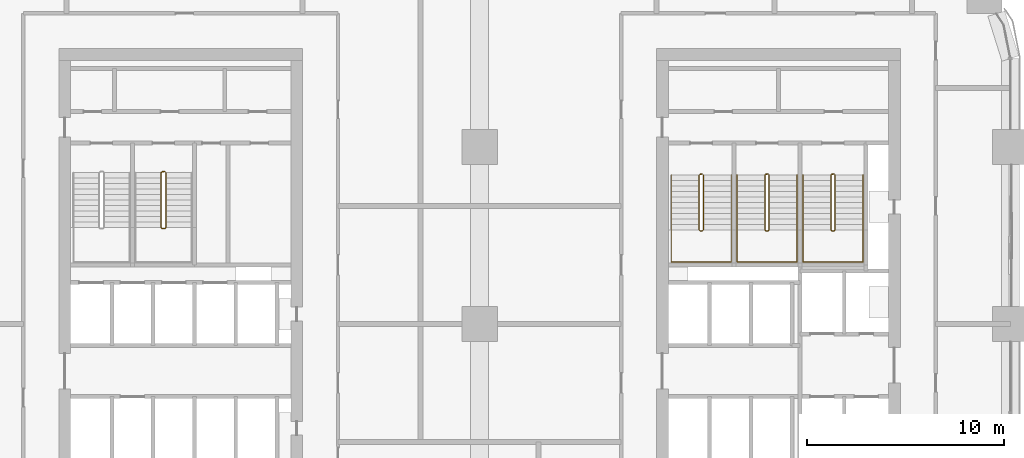
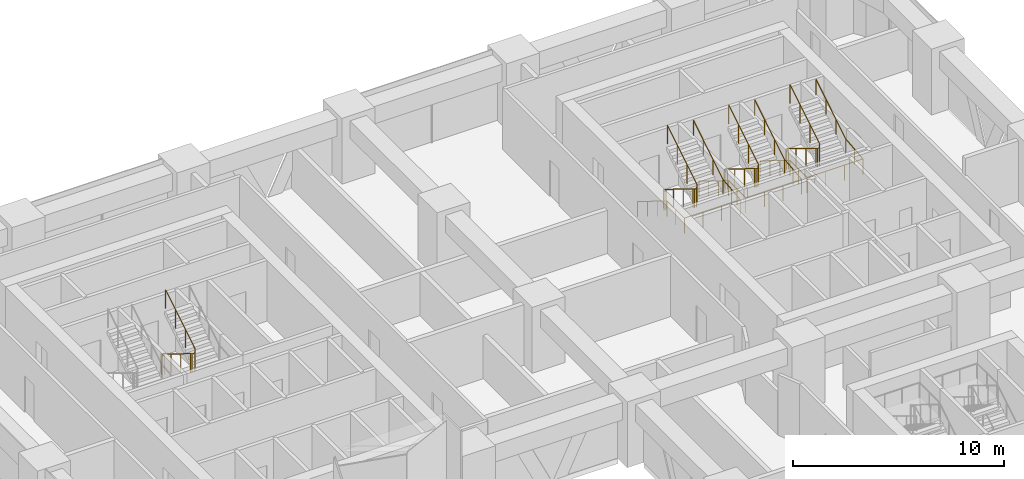
# One storey, part 18 of 18: 7 railings.
"""IFC4 building model written with IfcOpenShell, lengths in metres."""

from ifc_helpers import new_model, si_unit, direction, frame, origin, origin_2d, place, context, subcontext, project, spatial, circle, extrude, material, type_object, element, save


model = new_model("IFC4")

# Units and contexts
model_context = context("Model", 3, precision=1e-05, world=origin(), true_north=direction((0.0, 1.0)))
body_context = subcontext(model_context, "Body", "Model", "MODEL_VIEW")
ifc_project = project(units=[si_unit("LENGTHUNIT", "METRE"), si_unit("AREAUNIT", "SQUARE_METRE"), si_unit("VOLUMEUNIT", "CUBIC_METRE"), si_unit("PLANEANGLEUNIT", "RADIAN"), si_unit("MASSUNIT", "GRAM", prefix="KILO")], contexts=[model_context])

# Site, building, storey
site_placement = place(None, origin())
site = spatial("IfcSite", under=ifc_project, at=site_placement, CompositionType="ELEMENT")
building_placement = place(site_placement, origin())
building = spatial("IfcBuilding", under=site, at=building_placement, Name="Tessera Arch", CompositionType="ELEMENT")
storey_placement = place(building_placement, frame((0.0, 0.0, 115.800048828125)))
storey = spatial("IfcBuildingStorey", under=building, at=storey_placement, Name="L27", CompositionType="ELEMENT", Elevation=115.800048828125)

# Railings
ifc_material_1 = material(Name="Painted steel balustrade", Category="steel")
railing_type_1 = type_object("IfcRailingType", Name="Stair guard 1100", PredefinedType="GUARDRAIL", material=ifc_material_1)
railing_1_placement = place(storey_placement, frame((38.219970703125, 43.6298828125, 0.0)))
element("IfcRailing", 1, at=railing_1_placement, inside=storey, type_object=railing_type_1, Name="L27 S1a stair guard 1", PredefinedType="GUARDRAIL", context=body_context, shape_type="SweptSolid", body=[
    extrude(circle(Radius=0.02392578125, at=origin_2d()), frame((-0.00390625, 0.0, 1.076171875), z_axis=(1.0, 0.0, 0.0), x_axis=(0.0, 1.0, 0.0)), (0.0, 0.0, 1.0), 0.1181640625),
    extrude(circle(Radius=0.02392578125, at=origin_2d()), frame((0.11279296875, 0.000732421875, 1.0732421875), z_axis=(-0.665449600336, -0.206938595226, 0.717184249143), x_axis=(0.296948579431, -0.954893471113, 0.0)), (0.0, 0.0, 1.0), 0.248779296875),
    extrude(circle(Radius=0.02392578125, at=origin_2d()), frame((-0.050048828125, -0.04638671875, 1.24658203125), z_axis=(0.0, -0.851089632645, 0.525020415988), x_axis=(1.0, 0.0, 0.0)), (0.0, 0.0, 1.0), 3.2978515625),
    extrude(circle(Radius=0.02392578125, at=origin_2d()), frame((-0.052978515625, -2.846923828125, 2.97607421875), z_axis=(0.707106781187, -0.707106781187, 0.0), x_axis=(0.707106781187, 0.707106781187, 0.0)), (0.0, 0.0, 1.0), 0.078857421875),
    extrude(circle(Radius=0.02392578125, at=origin_2d()), frame((-0.00390625, -2.89990234375, 2.97607421875), z_axis=(1.0, 0.0, 0.0), x_axis=(0.0, 1.0, 0.0)), (0.0, 0.0, 1.0), 0.1181640625),
    extrude(circle(Radius=0.02392578125, at=origin_2d()), frame((0.109130859375, -2.90087890625, 2.97216796875), z_axis=(0.266739603011, 0.268047150085, 0.925743328097), x_axis=(-0.708833529934, 0.705375805398, 0.0)), (0.0, 0.0, 1.0), 0.19482421875),
    extrude(circle(Radius=0.02392578125, at=origin_2d()), frame((0.159912109375, -2.853271484375, 3.146728515625), z_axis=(0.0, 0.851089632645, 0.525020415988), x_axis=(-1.0, 0.0, 0.0)), (0.0, 0.0, 1.0), 3.2978515625),
    extrude(circle(Radius=0.02099609375, at=origin_2d()), origin(), (0.0, 0.0, 1.0), 1.06396484375),
    extrude(circle(Radius=0.02099609375, at=origin_2d()), frame((0.110107421875, 0.0, 0.0)), (0.0, 0.0, 1.0), 1.06396484375),
    extrude(circle(Radius=0.02099609375, at=origin_2d()), frame((-0.050048828125, -0.0498046875, 0.172607421875)), (0.0, 0.0, 1.0), 1.06396484375),
    extrude(circle(Radius=0.02099609375, at=origin_2d()), frame((-0.050048828125, -0.983154296875, 0.748291015625)), (0.0, 0.0, 1.0), 1.06396484375),
    extrude(circle(Radius=0.02099609375, at=origin_2d()), frame((-0.050048828125, -1.91650390625, 1.32421875)), (0.0, 0.0, 1.0), 1.06396484375),
    extrude(circle(Radius=0.02099609375, at=origin_2d()), frame((-0.050048828125, -2.849853515625, 1.89990234375)), (0.0, 0.0, 1.0), 1.06396484375),
    extrude(circle(Radius=0.02099609375, at=origin_2d()), frame((0.0, -2.89990234375, 1.89990234375)), (0.0, 0.0, 1.0), 1.06396484375),
    extrude(circle(Radius=0.02099609375, at=origin_2d()), frame((0.110107421875, -2.89990234375, 1.89990234375)), (0.0, 0.0, 1.0), 1.06396484375),
    extrude(circle(Radius=0.02099609375, at=origin_2d()), frame((0.159912109375, -2.849853515625, 2.07275390625)), (0.0, 0.0, 1.0), 1.06396484375),
    extrude(circle(Radius=0.02099609375, at=origin_2d()), frame((0.159912109375, -1.91650390625, 2.6484375)), (0.0, 0.0, 1.0), 1.06396484375),
    extrude(circle(Radius=0.02099609375, at=origin_2d()), frame((0.159912109375, -0.983154296875, 3.224365234375)), (0.0, 0.0, 1.0), 1.06396484375),
    extrude(circle(Radius=0.02099609375, at=origin_2d()), frame((0.159912109375, -0.0498046875, 3.800048828125)), (0.0, 0.0, 1.0), 1.06396484375),
])
railing_2_placement = place(storey_placement, frame((41.570068359375, 43.6298828125, 0.0)))
element("IfcRailing", 2, at=railing_2_placement, inside=storey, type_object=railing_type_1, Name="L27 S1b stair guard 1", PredefinedType="GUARDRAIL", context=body_context, shape_type="SweptSolid", body=[
    extrude(circle(Radius=0.02392578125, at=origin_2d()), frame((-0.00390625, 0.0, 1.076171875), z_axis=(1.0, 0.0, 0.0), x_axis=(0.0, 1.0, 0.0)), (0.0, 0.0, 1.0), 0.117919921875),
    extrude(circle(Radius=0.02392578125, at=origin_2d()), frame((0.112548828125, 0.000732421875, 1.0732421875), z_axis=(-0.664883824791, -0.207078321004, 0.717668494851), x_axis=(0.297361876254, -0.954764847777, 0.0)), (0.0, 0.0, 1.0), 0.24853515625),
    extrude(circle(Radius=0.02392578125, at=origin_2d()), frame((-0.050048828125, -0.04638671875, 1.24658203125), z_axis=(0.0, -0.851089632645, 0.525020415988), x_axis=(1.0, 0.0, 0.0)), (0.0, 0.0, 1.0), 3.2978515625),
    extrude(circle(Radius=0.02392578125, at=origin_2d()), frame((-0.052978515625, -2.846923828125, 2.97607421875), z_axis=(0.707106781187, -0.707106781187, 0.0), x_axis=(0.707106781187, 0.707106781187, 0.0)), (0.0, 0.0, 1.0), 0.078857421875),
    extrude(circle(Radius=0.02392578125, at=origin_2d()), frame((-0.00390625, -2.89990234375, 2.97607421875), z_axis=(1.0, 0.0, 0.0), x_axis=(0.0, 1.0, 0.0)), (0.0, 0.0, 1.0), 0.117919921875),
    extrude(circle(Radius=0.02392578125, at=origin_2d()), frame((0.10888671875, -2.90087890625, 2.97216796875), z_axis=(0.267953482034, 0.267953482034, 0.925419830635), x_axis=(-0.707106781187, 0.707106781187, 0.0)), (0.0, 0.0, 1.0), 0.19482421875),
    extrude(circle(Radius=0.02392578125, at=origin_2d()), frame((0.159912109375, -2.853271484375, 3.146728515625), z_axis=(0.0, 0.851089632645, 0.525020415988), x_axis=(-1.0, 0.0, 0.0)), (0.0, 0.0, 1.0), 3.2978515625),
    extrude(circle(Radius=0.02099609375, at=origin_2d()), origin(), (0.0, 0.0, 1.0), 1.06396484375),
    extrude(circle(Radius=0.02099609375, at=origin_2d()), frame((0.10986328125, 0.0, 0.0)), (0.0, 0.0, 1.0), 1.06396484375),
    extrude(circle(Radius=0.02099609375, at=origin_2d()), frame((-0.050048828125, -0.0498046875, 0.172607421875)), (0.0, 0.0, 1.0), 1.06396484375),
    extrude(circle(Radius=0.02099609375, at=origin_2d()), frame((-0.050048828125, -0.983154296875, 0.748291015625)), (0.0, 0.0, 1.0), 1.06396484375),
    extrude(circle(Radius=0.02099609375, at=origin_2d()), frame((-0.050048828125, -1.91650390625, 1.32421875)), (0.0, 0.0, 1.0), 1.06396484375),
    extrude(circle(Radius=0.02099609375, at=origin_2d()), frame((-0.050048828125, -2.849853515625, 1.89990234375)), (0.0, 0.0, 1.0), 1.06396484375),
    extrude(circle(Radius=0.02099609375, at=origin_2d()), frame((0.0, -2.89990234375, 1.89990234375)), (0.0, 0.0, 1.0), 1.06396484375),
    extrude(circle(Radius=0.02099609375, at=origin_2d()), frame((0.10986328125, -2.89990234375, 1.89990234375)), (0.0, 0.0, 1.0), 1.06396484375),
    extrude(circle(Radius=0.02099609375, at=origin_2d()), frame((0.159912109375, -2.849853515625, 2.07275390625)), (0.0, 0.0, 1.0), 1.06396484375),
    extrude(circle(Radius=0.02099609375, at=origin_2d()), frame((0.159912109375, -1.91650390625, 2.6484375)), (0.0, 0.0, 1.0), 1.06396484375),
    extrude(circle(Radius=0.02099609375, at=origin_2d()), frame((0.159912109375, -0.983154296875, 3.224365234375)), (0.0, 0.0, 1.0), 1.06396484375),
    extrude(circle(Radius=0.02099609375, at=origin_2d()), frame((0.159912109375, -0.0498046875, 3.800048828125)), (0.0, 0.0, 1.0), 1.06396484375),
])
railing_3_placement = place(storey_placement, frame((44.919921875, 43.6298828125, 0.0)))
element("IfcRailing", 3, at=railing_3_placement, inside=storey, type_object=railing_type_1, Name="L27 S1c stair guard 1", PredefinedType="GUARDRAIL", context=body_context, shape_type="SweptSolid", body=[
    extrude(circle(Radius=0.02392578125, at=origin_2d()), frame((-0.00390625, 0.0, 1.076171875), z_axis=(1.0, 0.0, 0.0), x_axis=(0.0, 1.0, 0.0)), (0.0, 0.0, 1.0), 0.1181640625),
    extrude(circle(Radius=0.02392578125, at=origin_2d()), frame((0.11279296875, 0.000732421875, 1.0732421875), z_axis=(-0.664883824791, -0.207078321004, 0.717668494851), x_axis=(0.297361876254, -0.954764847777, 0.0)), (0.0, 0.0, 1.0), 0.24853515625),
    extrude(circle(Radius=0.02392578125, at=origin_2d()), frame((-0.0498046875, -0.04638671875, 1.24658203125), z_axis=(0.0, -0.851089632645, 0.525020415988), x_axis=(1.0, 0.0, 0.0)), (0.0, 0.0, 1.0), 3.2978515625),
    extrude(circle(Radius=0.02392578125, at=origin_2d()), frame((-0.052734375, -2.846923828125, 2.97607421875), z_axis=(0.705375805398, -0.708833529934, 0.0), x_axis=(0.708833529934, 0.705375805398, 0.0)), (0.0, 0.0, 1.0), 0.07861328125),
    extrude(circle(Radius=0.02392578125, at=origin_2d()), frame((-0.00390625, -2.89990234375, 2.97607421875), z_axis=(1.0, 0.0, 0.0), x_axis=(0.0, 1.0, 0.0)), (0.0, 0.0, 1.0), 0.1181640625),
    extrude(circle(Radius=0.02392578125, at=origin_2d()), frame((0.109130859375, -2.90087890625, 2.97216796875), z_axis=(0.267953482034, 0.267953482034, 0.925419830635), x_axis=(-0.707106781187, 0.707106781187, 0.0)), (0.0, 0.0, 1.0), 0.19482421875),
    extrude(circle(Radius=0.02392578125, at=origin_2d()), frame((0.16015625, -2.853271484375, 3.146728515625), z_axis=(0.0, 0.851089632645, 0.525020415988), x_axis=(-1.0, 0.0, 0.0)), (0.0, 0.0, 1.0), 3.2978515625),
    extrude(circle(Radius=0.02099609375, at=origin_2d()), origin(), (0.0, 0.0, 1.0), 1.06396484375),
    extrude(circle(Radius=0.02099609375, at=origin_2d()), frame((0.110107421875, 0.0, 0.0)), (0.0, 0.0, 1.0), 1.06396484375),
    extrude(circle(Radius=0.02099609375, at=origin_2d()), frame((-0.0498046875, -0.0498046875, 0.172607421875)), (0.0, 0.0, 1.0), 1.06396484375),
    extrude(circle(Radius=0.02099609375, at=origin_2d()), frame((-0.0498046875, -0.983154296875, 0.748291015625)), (0.0, 0.0, 1.0), 1.06396484375),
    extrude(circle(Radius=0.02099609375, at=origin_2d()), frame((-0.0498046875, -1.91650390625, 1.32421875)), (0.0, 0.0, 1.0), 1.06396484375),
    extrude(circle(Radius=0.02099609375, at=origin_2d()), frame((-0.0498046875, -2.849853515625, 1.89990234375)), (0.0, 0.0, 1.0), 1.06396484375),
    extrude(circle(Radius=0.02099609375, at=origin_2d()), frame((0.0, -2.89990234375, 1.89990234375)), (0.0, 0.0, 1.0), 1.06396484375),
    extrude(circle(Radius=0.02099609375, at=origin_2d()), frame((0.110107421875, -2.89990234375, 1.89990234375)), (0.0, 0.0, 1.0), 1.06396484375),
    extrude(circle(Radius=0.02099609375, at=origin_2d()), frame((0.16015625, -2.849853515625, 2.07275390625)), (0.0, 0.0, 1.0), 1.06396484375),
    extrude(circle(Radius=0.02099609375, at=origin_2d()), frame((0.16015625, -1.91650390625, 2.6484375)), (0.0, 0.0, 1.0), 1.06396484375),
    extrude(circle(Radius=0.02099609375, at=origin_2d()), frame((0.16015625, -0.983154296875, 3.224365234375)), (0.0, 0.0, 1.0), 1.06396484375),
    extrude(circle(Radius=0.02099609375, at=origin_2d()), frame((0.16015625, -0.0498046875, 3.800048828125)), (0.0, 0.0, 1.0), 1.06396484375),
])
railing_4_placement = place(storey_placement, frame((10.85009765625, 43.75, 0.0)))
element("IfcRailing", 4, at=railing_4_placement, inside=storey, type_object=railing_type_1, Name="L27 S2b stair guard 1", PredefinedType="GUARDRAIL", context=body_context, shape_type="SweptSolid", body=[
    extrude(circle(Radius=0.02392578125, at=origin_2d()), frame((-0.00390625, 0.0, 1.076171875), z_axis=(1.0, 0.0, 0.0), x_axis=(0.0, 1.0, 0.0)), (0.0, 0.0, 1.0), 0.157958984375),
    extrude(circle(Radius=0.02392578125, at=origin_2d()), frame((0.15283203125, 0.000732421875, 1.073486328125), z_axis=(-0.743736083135, -0.18616104645, 0.642028584587), x_axis=(0.242814311512, -0.970072785993, 0.0)), (0.0, 0.0, 1.0), 0.27685546875),
    extrude(circle(Radius=0.02392578125, at=origin_2d()), frame((-0.050048828125, -0.046630859375, 1.24658203125), z_axis=(0.0, -0.851089632645, 0.525020415988), x_axis=(1.0, 0.0, 0.0)), (0.0, 0.0, 1.0), 3.2978515625),
    extrude(circle(Radius=0.02392578125, at=origin_2d()), frame((-0.052978515625, -2.84716796875, 2.97607421875), z_axis=(0.708833529934, -0.705375805398, 0.0), x_axis=(0.705375805398, 0.708833529934, 0.0)), (0.0, 0.0, 1.0), 0.07861328125),
    extrude(circle(Radius=0.02392578125, at=origin_2d()), frame((-0.00390625, -2.89990234375, 2.97607421875), z_axis=(1.0, 0.0, 0.0), x_axis=(0.0, 1.0, 0.0)), (0.0, 0.0, 1.0), 0.157958984375),
    extrude(circle(Radius=0.02392578125, at=origin_2d()), frame((0.14892578125, -2.90087890625, 2.97216796875), z_axis=(0.268047150085, 0.266739603011, 0.925743328097), x_axis=(-0.705375805398, 0.708833529934, 0.0)), (0.0, 0.0, 1.0), 0.19482421875),
    extrude(circle(Radius=0.02392578125, at=origin_2d()), frame((0.199951171875, -2.853515625, 3.146728515625), z_axis=(0.0, 0.851089632645, 0.525020415988), x_axis=(-1.0, 0.0, 0.0)), (0.0, 0.0, 1.0), 3.2978515625),
    extrude(circle(Radius=0.02099609375, at=origin_2d()), origin(), (0.0, 0.0, 1.0), 1.06396484375),
    extrude(circle(Radius=0.02099609375, at=origin_2d()), frame((0.14990234375, 0.0, 0.0)), (0.0, 0.0, 1.0), 1.06396484375),
    extrude(circle(Radius=0.02099609375, at=origin_2d()), frame((-0.050048828125, -0.050048828125, 0.172607421875)), (0.0, 0.0, 1.0), 1.06396484375),
    extrude(circle(Radius=0.02099609375, at=origin_2d()), frame((-0.050048828125, -0.9833984375, 0.748291015625)), (0.0, 0.0, 1.0), 1.06396484375),
    extrude(circle(Radius=0.02099609375, at=origin_2d()), frame((-0.050048828125, -1.916748046875, 1.32421875)), (0.0, 0.0, 1.0), 1.06396484375),
    extrude(circle(Radius=0.02099609375, at=origin_2d()), frame((-0.050048828125, -2.85009765625, 1.89990234375)), (0.0, 0.0, 1.0), 1.06396484375),
    extrude(circle(Radius=0.02099609375, at=origin_2d()), frame((0.0, -2.89990234375, 1.89990234375)), (0.0, 0.0, 1.0), 1.06396484375),
    extrude(circle(Radius=0.02099609375, at=origin_2d()), frame((0.14990234375, -2.89990234375, 1.89990234375)), (0.0, 0.0, 1.0), 1.06396484375),
    extrude(circle(Radius=0.02099609375, at=origin_2d()), frame((0.199951171875, -2.85009765625, 2.07275390625)), (0.0, 0.0, 1.0), 1.06396484375),
    extrude(circle(Radius=0.02099609375, at=origin_2d()), frame((0.199951171875, -1.916748046875, 2.6484375)), (0.0, 0.0, 1.0), 1.06396484375),
    extrude(circle(Radius=0.02099609375, at=origin_2d()), frame((0.199951171875, -0.9833984375, 3.224365234375)), (0.0, 0.0, 1.0), 1.06396484375),
    extrude(circle(Radius=0.02099609375, at=origin_2d()), frame((0.199951171875, -0.050048828125, 3.800048828125)), (0.0, 0.0, 1.0), 1.06396484375),
])
ifc_material_2 = material(Name="Painted steel handrail", Category="steel")
railing_type_2 = type_object("IfcRailingType", Name="Stair handrail 900", PredefinedType="HANDRAIL", material=ifc_material_2)
railing_5_placement = place(storey_placement, frame((36.75, 43.580078125, 0.172607421875)))
element("IfcRailing", 5, at=railing_5_placement, inside=storey, type_object=railing_type_2, Name="L27 S1a stair handrail", PredefinedType="HANDRAIL", context=body_context, shape_type="SweptSolid", body=[
    extrude(circle(Radius=0.02392578125, at=origin_2d()), frame((0.0, 0.00341796875, 0.873779296875), z_axis=(0.0, -0.851089632645, 0.525020415988), x_axis=(1.0, 0.0, 0.0)), (0.0, 0.0, 1.0), 3.2978515625),
    extrude(circle(Radius=0.02392578125, at=origin_2d()), frame((0.0, -2.796142578125, 2.60302734375), z_axis=(0.0, -1.0, 0.0), x_axis=(1.0, 0.0, 0.0)), (0.0, 0.0, 1.0), 1.63818359375),
    extrude(circle(Radius=0.02392578125, at=origin_2d()), frame((-0.00390625, -4.43017578125, 2.60302734375), z_axis=(1.0, 0.0, 0.0), x_axis=(0.0, 1.0, 0.0)), (0.0, 0.0, 1.0), 3.05810546875),
    extrude(circle(Radius=0.02392578125, at=origin_2d()), frame((3.050048828125, -4.43408203125, 2.602783203125), z_axis=(0.0, 0.994425187763, 0.105444515941), x_axis=(-1.0, 0.0, 0.0)), (0.0, 0.0, 1.0), 1.647216796875),
    extrude(circle(Radius=0.02392578125, at=origin_2d()), frame((3.050048828125, -2.803466796875, 2.77392578125), z_axis=(0.0, 0.851089632645, 0.525020415988), x_axis=(-1.0, 0.0, 0.0)), (0.0, 0.0, 1.0), 3.2978515625),
    extrude(circle(Radius=0.02099609375, at=origin_2d()), origin(), (0.0, 0.0, 1.0), 0.86376953125),
    extrude(circle(Radius=0.02099609375, at=origin_2d()), frame((0.0, -0.933349609375, 0.57568359375)), (0.0, 0.0, 1.0), 0.86376953125),
    extrude(circle(Radius=0.02099609375, at=origin_2d()), frame((0.0, -1.86669921875, 1.151611328125)), (0.0, 0.0, 1.0), 0.86376953125),
    extrude(circle(Radius=0.02099609375, at=origin_2d()), frame((0.0, -2.800048828125, 1.727294921875)), (0.0, 0.0, 1.0), 0.86376953125),
    extrude(circle(Radius=0.02099609375, at=origin_2d()), frame((0.0, -3.615234375, 1.727294921875)), (0.0, 0.0, 1.0), 0.86376953125),
    extrude(circle(Radius=0.02099609375, at=origin_2d()), frame((0.0, -4.43017578125, 1.727294921875)), (0.0, 0.0, 1.0), 0.86376953125),
    extrude(circle(Radius=0.02099609375, at=origin_2d()), frame((1.0166015625, -4.43017578125, 1.727294921875)), (0.0, 0.0, 1.0), 0.86376953125),
    extrude(circle(Radius=0.02099609375, at=origin_2d()), frame((2.033447265625, -4.43017578125, 1.727294921875)), (0.0, 0.0, 1.0), 0.86376953125),
    extrude(circle(Radius=0.02099609375, at=origin_2d()), frame((3.050048828125, -4.43017578125, 1.727294921875)), (0.0, 0.0, 1.0), 0.86376953125),
    extrude(circle(Radius=0.02099609375, at=origin_2d()), frame((3.050048828125, -3.615234375, 1.813720703125)), (0.0, 0.0, 1.0), 0.86376953125),
    extrude(circle(Radius=0.02099609375, at=origin_2d()), frame((3.050048828125, -2.800048828125, 1.900146484375)), (0.0, 0.0, 1.0), 0.86376953125),
    extrude(circle(Radius=0.02099609375, at=origin_2d()), frame((3.050048828125, -1.86669921875, 2.475830078125)), (0.0, 0.0, 1.0), 0.86376953125),
    extrude(circle(Radius=0.02099609375, at=origin_2d()), frame((3.050048828125, -0.933349609375, 3.0517578125)), (0.0, 0.0, 1.0), 0.86376953125),
    extrude(circle(Radius=0.02099609375, at=origin_2d()), frame((3.050048828125, 0.0, 3.62744140625)), (0.0, 0.0, 1.0), 0.86376953125),
])
railing_6_placement = place(storey_placement, frame((40.10009765625, 43.580078125, 0.172607421875)))
element("IfcRailing", 6, at=railing_6_placement, inside=storey, type_object=railing_type_2, Name="L27 S1b stair handrail", PredefinedType="HANDRAIL", context=body_context, shape_type="SweptSolid", body=[
    extrude(circle(Radius=0.02392578125, at=origin_2d()), frame((0.0, 0.00341796875, 0.873779296875), z_axis=(0.0, -0.851089632645, 0.525020415988), x_axis=(1.0, 0.0, 0.0)), (0.0, 0.0, 1.0), 3.2978515625),
    extrude(circle(Radius=0.02392578125, at=origin_2d()), frame((0.0, -2.796142578125, 2.60302734375), z_axis=(0.0, -1.0, 0.0), x_axis=(1.0, 0.0, 0.0)), (0.0, 0.0, 1.0), 1.63818359375),
    extrude(circle(Radius=0.02392578125, at=origin_2d()), frame((-0.00390625, -4.43017578125, 2.60302734375), z_axis=(1.0, 0.0, 0.0), x_axis=(0.0, 1.0, 0.0)), (0.0, 0.0, 1.0), 3.057861328125),
    extrude(circle(Radius=0.02392578125, at=origin_2d()), frame((3.0498046875, -4.43408203125, 2.602783203125), z_axis=(0.0, 0.994425187763, 0.105444515941), x_axis=(-1.0, 0.0, 0.0)), (0.0, 0.0, 1.0), 1.647216796875),
    extrude(circle(Radius=0.02392578125, at=origin_2d()), frame((3.0498046875, -2.803466796875, 2.77392578125), z_axis=(0.0, 0.851089632645, 0.525020415988), x_axis=(-1.0, 0.0, 0.0)), (0.0, 0.0, 1.0), 3.2978515625),
    extrude(circle(Radius=0.02099609375, at=origin_2d()), origin(), (0.0, 0.0, 1.0), 0.86376953125),
    extrude(circle(Radius=0.02099609375, at=origin_2d()), frame((0.0, -0.933349609375, 0.57568359375)), (0.0, 0.0, 1.0), 0.86376953125),
    extrude(circle(Radius=0.02099609375, at=origin_2d()), frame((0.0, -1.86669921875, 1.151611328125)), (0.0, 0.0, 1.0), 0.86376953125),
    extrude(circle(Radius=0.02099609375, at=origin_2d()), frame((0.0, -2.800048828125, 1.727294921875)), (0.0, 0.0, 1.0), 0.86376953125),
    extrude(circle(Radius=0.02099609375, at=origin_2d()), frame((0.0, -3.615234375, 1.727294921875)), (0.0, 0.0, 1.0), 0.86376953125),
    extrude(circle(Radius=0.02099609375, at=origin_2d()), frame((0.0, -4.43017578125, 1.727294921875)), (0.0, 0.0, 1.0), 0.86376953125),
    extrude(circle(Radius=0.02099609375, at=origin_2d()), frame((1.0166015625, -4.43017578125, 1.727294921875)), (0.0, 0.0, 1.0), 0.86376953125),
    extrude(circle(Radius=0.02099609375, at=origin_2d()), frame((2.033203125, -4.43017578125, 1.727294921875)), (0.0, 0.0, 1.0), 0.86376953125),
    extrude(circle(Radius=0.02099609375, at=origin_2d()), frame((3.0498046875, -4.43017578125, 1.727294921875)), (0.0, 0.0, 1.0), 0.86376953125),
    extrude(circle(Radius=0.02099609375, at=origin_2d()), frame((3.0498046875, -3.615234375, 1.813720703125)), (0.0, 0.0, 1.0), 0.86376953125),
    extrude(circle(Radius=0.02099609375, at=origin_2d()), frame((3.0498046875, -2.800048828125, 1.900146484375)), (0.0, 0.0, 1.0), 0.86376953125),
    extrude(circle(Radius=0.02099609375, at=origin_2d()), frame((3.0498046875, -1.86669921875, 2.475830078125)), (0.0, 0.0, 1.0), 0.86376953125),
    extrude(circle(Radius=0.02099609375, at=origin_2d()), frame((3.0498046875, -0.933349609375, 3.0517578125)), (0.0, 0.0, 1.0), 0.86376953125),
    extrude(circle(Radius=0.02099609375, at=origin_2d()), frame((3.0498046875, 0.0, 3.62744140625)), (0.0, 0.0, 1.0), 0.86376953125),
])
railing_7_placement = place(storey_placement, frame((43.449951171875, 43.580078125, 0.172607421875)))
element("IfcRailing", 7, at=railing_7_placement, inside=storey, type_object=railing_type_2, Name="L27 S1c stair handrail", PredefinedType="HANDRAIL", context=body_context, shape_type="SweptSolid", body=[
    extrude(circle(Radius=0.02392578125, at=origin_2d()), frame((0.0, 0.00341796875, 0.873779296875), z_axis=(0.0, -0.851089632645, 0.525020415988), x_axis=(1.0, 0.0, 0.0)), (0.0, 0.0, 1.0), 3.2978515625),
    extrude(circle(Radius=0.02392578125, at=origin_2d()), frame((0.0, -2.796142578125, 2.60302734375), z_axis=(0.0, -1.0, 0.0), x_axis=(1.0, 0.0, 0.0)), (0.0, 0.0, 1.0), 1.63818359375),
    extrude(circle(Radius=0.02392578125, at=origin_2d()), frame((-0.00390625, -4.43017578125, 2.60302734375), z_axis=(1.0, 0.0, 0.0), x_axis=(0.0, 1.0, 0.0)), (0.0, 0.0, 1.0), 3.05810546875),
    extrude(circle(Radius=0.02392578125, at=origin_2d()), frame((3.050048828125, -4.43408203125, 2.602783203125), z_axis=(0.0, 0.994425187763, 0.105444515941), x_axis=(-1.0, 0.0, 0.0)), (0.0, 0.0, 1.0), 1.647216796875),
    extrude(circle(Radius=0.02392578125, at=origin_2d()), frame((3.050048828125, -2.803466796875, 2.77392578125), z_axis=(0.0, 0.851089632645, 0.525020415988), x_axis=(-1.0, 0.0, 0.0)), (0.0, 0.0, 1.0), 3.2978515625),
    extrude(circle(Radius=0.02099609375, at=origin_2d()), origin(), (0.0, 0.0, 1.0), 0.86376953125),
    extrude(circle(Radius=0.02099609375, at=origin_2d()), frame((0.0, -0.933349609375, 0.57568359375)), (0.0, 0.0, 1.0), 0.86376953125),
    extrude(circle(Radius=0.02099609375, at=origin_2d()), frame((0.0, -1.86669921875, 1.151611328125)), (0.0, 0.0, 1.0), 0.86376953125),
    extrude(circle(Radius=0.02099609375, at=origin_2d()), frame((0.0, -2.800048828125, 1.727294921875)), (0.0, 0.0, 1.0), 0.86376953125),
    extrude(circle(Radius=0.02099609375, at=origin_2d()), frame((0.0, -3.615234375, 1.727294921875)), (0.0, 0.0, 1.0), 0.86376953125),
    extrude(circle(Radius=0.02099609375, at=origin_2d()), frame((0.0, -4.43017578125, 1.727294921875)), (0.0, 0.0, 1.0), 0.86376953125),
    extrude(circle(Radius=0.02099609375, at=origin_2d()), frame((1.0166015625, -4.43017578125, 1.727294921875)), (0.0, 0.0, 1.0), 0.86376953125),
    extrude(circle(Radius=0.02099609375, at=origin_2d()), frame((2.033447265625, -4.43017578125, 1.727294921875)), (0.0, 0.0, 1.0), 0.86376953125),
    extrude(circle(Radius=0.02099609375, at=origin_2d()), frame((3.050048828125, -4.43017578125, 1.727294921875)), (0.0, 0.0, 1.0), 0.86376953125),
    extrude(circle(Radius=0.02099609375, at=origin_2d()), frame((3.050048828125, -3.615234375, 1.813720703125)), (0.0, 0.0, 1.0), 0.86376953125),
    extrude(circle(Radius=0.02099609375, at=origin_2d()), frame((3.050048828125, -2.800048828125, 1.900146484375)), (0.0, 0.0, 1.0), 0.86376953125),
    extrude(circle(Radius=0.02099609375, at=origin_2d()), frame((3.050048828125, -1.86669921875, 2.475830078125)), (0.0, 0.0, 1.0), 0.86376953125),
    extrude(circle(Radius=0.02099609375, at=origin_2d()), frame((3.050048828125, -0.933349609375, 3.0517578125)), (0.0, 0.0, 1.0), 0.86376953125),
    extrude(circle(Radius=0.02099609375, at=origin_2d()), frame((3.050048828125, 0.0, 3.62744140625)), (0.0, 0.0, 1.0), 0.86376953125),
])

save(model, "model.ifc")
